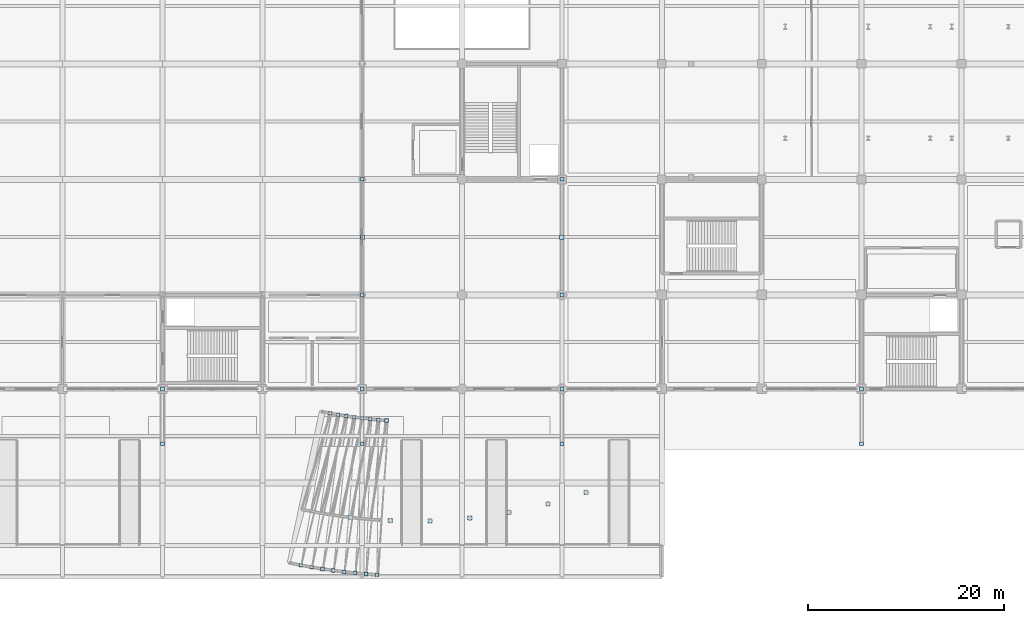
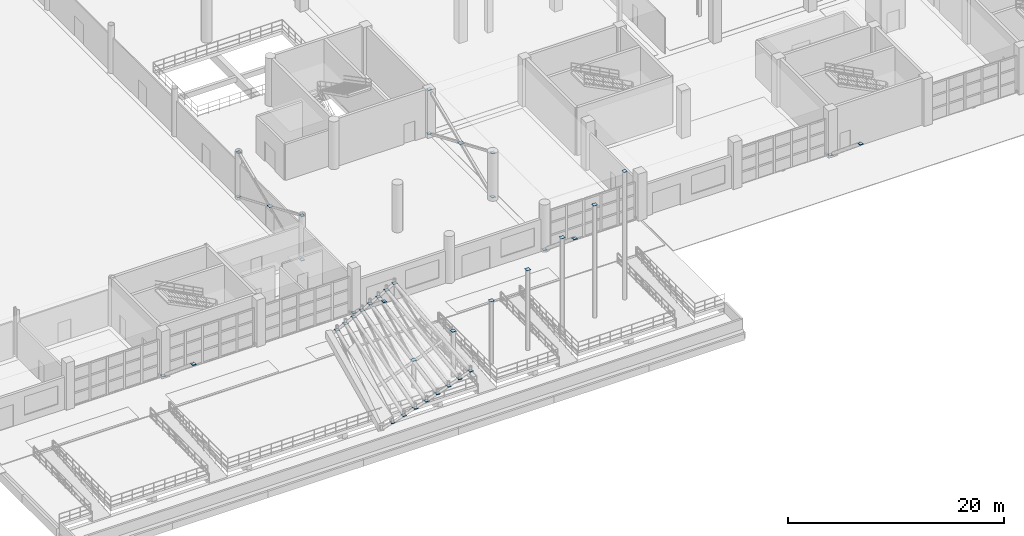
# One storey, part 83 of 124: 41 plates.
"""IFC4 building model written with IfcOpenShell, lengths in metres."""

from ifc_helpers import new_model, si_unit, direction, frame, origin, origin_2d, place, context, subcontext, project, spatial, rectangle, extrude, material, layer, layer_set, type_object, element, save


model = new_model("IFC4")

# Units and contexts
model_context = context("Model", 3, precision=1e-05, world=origin(), true_north=direction((0.0, 1.0)))
body_context = subcontext(model_context, "Body", "Model", "MODEL_VIEW")
ifc_project = project(units=[si_unit("LENGTHUNIT", "METRE"), si_unit("AREAUNIT", "SQUARE_METRE"), si_unit("VOLUMEUNIT", "CUBIC_METRE"), si_unit("PLANEANGLEUNIT", "RADIAN"), si_unit("MASSUNIT", "GRAM", prefix="KILO")], contexts=[model_context])

# Site, building, storey
site_placement = place(None, origin())
site = spatial("IfcSite", under=ifc_project, at=site_placement, CompositionType="ELEMENT")
building_placement = place(site_placement, origin())
building = spatial("IfcBuilding", under=site, at=building_placement, Name="Brelvane Convention Centre", CompositionType="ELEMENT")
storey_placement = place(building_placement, origin())
storey = spatial("IfcBuildingStorey", under=building, at=storey_placement, Name="L00", CompositionType="ELEMENT", Elevation=0.0)

# Plates
ifc_material_1 = material(Name="Steel E450 (450 MPa)", Category="steel")
ifc_layer_1 = layer(ifc_material_1, 0.028076171875)
ifc_layer_set_1 = layer_set([ifc_layer_1], Name="Steel E450 (450 MPa)")
plate_type_1 = type_object("IfcPlateType", Name="Steel Node Gusset Plate ND-2", PredefinedType="SHEET", material=ifc_layer_set_1)
for number, where, z_axis, x_axis, name in (
    (1, (142.800048828125, 34.699951171875, 2.68603515625), (0.0, 0.0, 1.0), (1.0, 0.0, 0.0), "X-Brace Central Gusset V1E-1-L00"),
    (2, (163.199951171875, 34.699951171875, 2.68603515625), (0.0, 0.0, 1.0), (1.0, 0.0, 0.0), "X-Brace Central Gusset V2W-1-L00"),
):
    element("IfcPlate", number, at=place(storey_placement, frame(where, z_axis=z_axis, x_axis=x_axis)), inside=storey, type_object=plate_type_1, Name=name, PredefinedType="SHEET", context=body_context, shape_type="SweptSolid", body=[
        extrude(rectangle(XDim=0.4599609375, YDim=0.4599609375, at=origin_2d()), origin(), (0.0, 0.0, 1.0), 0.028076171875),
    ])
ifc_material_2 = material(Name="Steel E450 (450 MPa)", Category="steel")
ifc_layer_2 = layer(ifc_material_2, 0.02490234375)
ifc_layer_set_2 = layer_set([ifc_layer_2], Name="Steel E450 (450 MPa)")
plate_type_2 = type_object("IfcPlateType", Name="Steel Node Gusset Plate ND-3", PredefinedType="SHEET", material=ifc_layer_set_2)
for number, where, z_axis, x_axis, name in (
    (3, (122.39990234375, 19.199951171875, 0.03759765625), (0.0, 0.0, 1.0), (1.0, 0.0, 0.0), "Raked Strut Node V1-L00-13-bot"),
    (4, (122.39990234375, 13.60009765625, 4.7275390625), (0.0, 0.0, 1.0), (1.0, 0.0, 0.0), "Raked Strut Node V1-L00-13-top"),
    (5, (142.800048828125, 19.199951171875, 0.03759765625), (0.0, 0.0, 1.0), (1.0, 0.0, 0.0), "Raked Strut Node V1-L00-15-bot"),
    (6, (142.800048828125, 13.60009765625, 4.6875), (0.0, 0.0, 1.0), (1.0, 0.0, 0.0), "Raked Strut Node V1-L00-15-top"),
    (7, (163.199951171875, 19.199951171875, 0.03759765625), (0.0, 0.0, 1.0), (1.0, 0.0, 0.0), "Raked Strut Node V1-L00-17-bot"),
    (8, (163.199951171875, 13.60009765625, 4.66748046875), (0.0, 0.0, 1.0), (1.0, 0.0, 0.0), "Raked Strut Node V1-L00-17-top"),
    (9, (193.800048828125, 19.199951171875, 0.03759765625), (0.0, 0.0, 1.0), (1.0, 0.0, 0.0), "Raked Strut Node V1-L00-20-bot"),
    (10, (193.800048828125, 13.60009765625, 4.66748046875), (0.0, 0.0, 1.0), (1.0, 0.0, 0.0), "Raked Strut Node V1-L00-20-top"),
    (11, (145.277099609375, 15.983154296875, 4.4267578125), (0.0, 0.0, 1.0), (1.0, 0.0, 0.0), "Canopy Rafter Cap 24-in"),
    (12, (144.312744140625, 0.212646484375, 4.4267578125), (0.0, 0.0, 1.0), (1.0, 0.0, 0.0), "Canopy Rafter Cap 24-out"),
    (13, (144.4521484375, 16.041259765625, 3.908935546875), (0.0, 0.0, 1.0), (1.0, 0.0, 0.0), "Canopy Rafter Cap 25-in"),
    (14, (143.1953125, 0.29150390625, 3.908935546875), (0.0, 0.0, 1.0), (1.0, 0.0, 0.0), "Canopy Rafter Cap 25-out"),
    (15, (143.62841796875, 16.11474609375, 3.386474609375), (0.0, 0.0, 1.0), (1.0, 0.0, 0.0), "Canopy Rafter Cap 26-in"),
    (16, (142.079833984375, 0.390869140625, 3.386474609375), (0.0, 0.0, 1.0), (1.0, 0.0, 0.0), "Canopy Rafter Cap 26-out"),
    (17, (142.80615234375, 16.20361328125, 2.859619140625), (0.0, 0.0, 1.0), (1.0, 0.0, 0.0), "Canopy Rafter Cap 27-in"),
    (18, (140.96630859375, 0.510986328125, 2.859619140625), (0.0, 0.0, 1.0), (1.0, 0.0, 0.0), "Canopy Rafter Cap 27-out"),
    (19, (141.985595703125, 16.307373046875, 2.328125), (0.0, 0.0, 1.0), (1.0, 0.0, 0.0), "Canopy Rafter Cap 28-in"),
    (20, (139.85498046875, 0.651611328125, 2.328125), (0.0, 0.0, 1.0), (1.0, 0.0, 0.0), "Canopy Rafter Cap 28-out"),
    (21, (141.167236328125, 16.426513671875, 1.792236328125), (0.0, 0.0, 1.0), (1.0, 0.0, 0.0), "Canopy Rafter Cap 29-in"),
    (22, (138.74658203125, 0.81298828125, 1.792236328125), (0.0, 0.0, 1.0), (1.0, 0.0, 0.0), "Canopy Rafter Cap 29-out"),
    (23, (140.35107421875, 16.560791015625, 1.251953125), (0.0, 0.0, 1.0), (1.0, 0.0, 0.0), "Canopy Rafter Cap 30-in"),
    (24, (137.641357421875, 0.994873046875, 1.251953125), (0.0, 0.0, 1.0), (1.0, 0.0, 0.0), "Canopy Rafter Cap 30-out"),
    (25, (139.53759765625, 16.710205078125, 0.70703125), (0.0, 0.0, 1.0), (1.0, 0.0, 0.0), "Canopy Rafter Cap 31-in"),
    (26, (136.539794921875, 1.197265625, 0.70703125), (0.0, 0.0, 1.0), (1.0, 0.0, 0.0), "Canopy Rafter Cap 31-out"),
    (27, (142.800048828125, 28.800048828125, 0.1875), (0.0, 0.0, 1.0), (1.0, 0.0, 0.0), "X-Brace End Gusset V1E-1-L00-1"),
    (28, (142.800048828125, 40.60009765625, 5.1875), (0.0, 0.0, 1.0), (1.0, 0.0, 0.0), "X-Brace End Gusset V1E-1-L00-2"),
    (29, (142.800048828125, 40.60009765625, 0.1875), (0.0, 0.0, 1.0), (1.0, 0.0, 0.0), "X-Brace End Gusset V1E-1-L00-3"),
    (30, (142.800048828125, 28.800048828125, 5.1875), (0.0, 0.0, 1.0), (1.0, 0.0, 0.0), "X-Brace End Gusset V1E-1-L00-4"),
    (31, (163.199951171875, 28.800048828125, 0.1875), (0.0, 0.0, 1.0), (1.0, 0.0, 0.0), "X-Brace End Gusset V2W-1-L00-1"),
    (32, (163.199951171875, 40.60009765625, 5.1875), (0.0, 0.0, 1.0), (1.0, 0.0, 0.0), "X-Brace End Gusset V2W-1-L00-2"),
    (33, (163.199951171875, 40.60009765625, 0.1875), (0.0, 0.0, 1.0), (1.0, 0.0, 0.0), "X-Brace End Gusset V2W-1-L00-3"),
    (34, (163.199951171875, 28.800048828125, 5.1875), (0.0, 0.0, 1.0), (1.0, 0.0, 0.0), "X-Brace End Gusset V2W-1-L00-4"),
):
    element("IfcPlate", number, at=place(storey_placement, frame(where, z_axis=z_axis, x_axis=x_axis)), inside=storey, type_object=plate_type_2, Name=name, PredefinedType="SHEET", context=body_context, shape_type="SweptSolid", body=[
        extrude(rectangle(XDim=0.3798828125, YDim=0.3798828125, at=origin_2d()), origin(), (0.0, 0.0, 1.0), 0.02490234375),
    ])
ifc_material_3 = material(Name="Steel E450 (450 MPa)", Category="steel")
ifc_layer_3 = layer(ifc_material_3, 0.02392578125)
ifc_layer_set_3 = layer_set([ifc_layer_3], Name="Steel E450 (450 MPa)")
plate_type_3 = type_object("IfcPlateType", Name="Steel Node Gusset Plate ND-4", PredefinedType="SHEET", material=ifc_layer_set_3)
for number, where, z_axis, x_axis, name in (
    (35, (165.67138671875, 8.62744140625, 14.444580078125), (0.0, 0.0, 1.0), (1.0, 0.0, 0.0), "Canopy Column Head Cap Plate 03"),
    (36, (161.77880859375, 7.46044921875, 12.7236328125), (0.0, 0.0, 1.0), (1.0, 0.0, 0.0), "Canopy Column Head Cap Plate 07"),
    (37, (157.81005859375, 6.585205078125, 10.930908203125), (0.0, 0.0, 1.0), (1.0, 0.0, 0.0), "Canopy Column Head Cap Plate 11"),
    (38, (153.78759765625, 6.006591796875, 9.066162109375), (0.0, 0.0, 1.0), (1.0, 0.0, 0.0), "Canopy Column Head Cap Plate 15"),
    (39, (149.7333984375, 5.727294921875, 7.12939453125), (0.0, 0.0, 1.0), (1.0, 0.0, 0.0), "Canopy Column Head Cap Plate 19"),
    (40, (145.66943359375, 5.74951171875, 5.12060546875), (0.0, 0.0, 1.0), (1.0, 0.0, 0.0), "Canopy Column Head Cap Plate 23"),
    (41, (141.618408203125, 6.072998046875, 3.0400390625), (0.0, 0.0, 1.0), (1.0, 0.0, 0.0), "Canopy Column Head Cap Plate 27"),
):
    element("IfcPlate", number, at=place(storey_placement, frame(where, z_axis=z_axis, x_axis=x_axis)), inside=storey, type_object=plate_type_3, Name=name, PredefinedType="SHEET", context=body_context, shape_type="SweptSolid", body=[
        extrude(rectangle(XDim=0.419921875, YDim=0.419921875, at=origin_2d()), origin(), (0.0, 0.0, 1.0), 0.02392578125),
    ])

save(model, "model.ifc")
